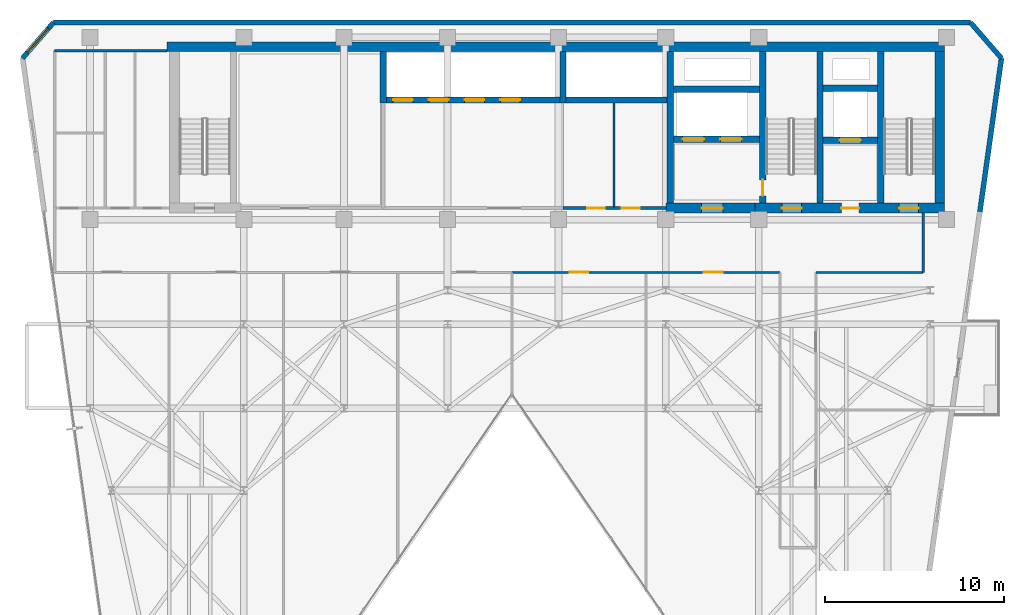
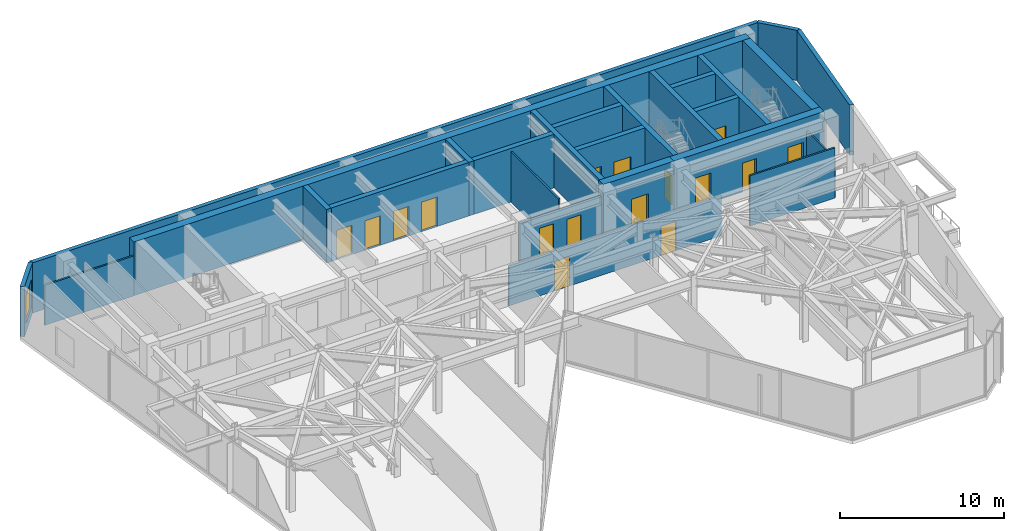
# One storey, part 23 of 26: 26 walls, 16 doors, 1 window, 17 openings.
"""IFC4 building model written with IfcOpenShell, lengths in metres."""

from ifc_helpers import new_model, si_unit, direction, frame, frame_2d, origin, place, context, subcontext, project, spatial, rectangle, extrude, material, layer, layer_set, type_object, element, fill, save


model = new_model("IFC4")

# Units and contexts
model_context = context("Model", 3, precision=1e-05, world=origin(), true_north=direction((0.0, 1.0)))
body_context = subcontext(model_context, "Body", "Model", "MODEL_VIEW")
ifc_project = project(units=[si_unit("LENGTHUNIT", "METRE"), si_unit("AREAUNIT", "SQUARE_METRE"), si_unit("VOLUMEUNIT", "CUBIC_METRE"), si_unit("PLANEANGLEUNIT", "RADIAN"), si_unit("MASSUNIT", "GRAM", prefix="KILO")], contexts=[model_context])

# Site, building, storey
site_placement = place(None, origin())
site = spatial("IfcSite", under=ifc_project, at=site_placement, CompositionType="ELEMENT")
building_placement = place(site_placement, origin())
building = spatial("IfcBuilding", under=site, at=building_placement, Name="Kravanh Interchange Tower", CompositionType="ELEMENT")
storey_placement = place(building_placement, frame((0.0, 0.0, 180.5)))
storey = spatial("IfcBuildingStorey", under=building, at=storey_placement, Name="L43", CompositionType="ELEMENT", Elevation=180.5)

# Walls
ifc_material_1 = material(Name="Double Acoustic Gypsum Board and Mineral Wool")
ifc_layer_1 = layer(ifc_material_1, 0.1201171875)
ifc_layer_set_1 = layer_set([ifc_layer_1], Name="Acoustic Office Drywall Partition 120mm")
wall_type_1 = type_object("IfcWallType", Name="Acoustic Office Drywall Partition 120mm", PredefinedType="PARTITIONING", material=ifc_layer_set_1)
wall_1_placement = place(storey_placement, frame((47.89990234375, 38.068115234375, 0.0), z_axis=(0.0, 0.0, 1.0), x_axis=(0.0, 1.0, 0.0)))
element("IfcWall", 1, at=wall_1_placement, inside=storey, type_object=wall_type_1, Name="L43 Interior Partition 2", PredefinedType="PARTITIONING", context=body_context, shape_type="SweptSolid", body=[
    extrude(rectangle(XDim=5.798828125, YDim=0.1201171875, at=frame_2d((2.8994140625, 0.0))), origin(), (0.0, 0.0, 1.0), 3.7548828125),
])
wall_2_placement = place(storey_placement, frame((16.6201171875, 46.800048828125, 0.0), z_axis=(0.0, 0.0, 1.0), x_axis=(1.0, 0.0, 0.0)))
element("IfcWall", 2, at=wall_2_placement, inside=storey, type_object=wall_type_1, Name="L43 Restroom North Enclosure 8", PredefinedType="PARTITIONING", context=body_context, shape_type="SweptSolid", body=[
    extrude(rectangle(XDim=6.27978515625, YDim=0.1201171875, at=frame_2d((3.139892578125, 0.0))), origin(), (0.0, 0.0, 1.0), 2.98193359375),
])

# Wall, openings, doors
wall_3_placement = place(storey_placement, frame((42.199951171875, 34.39990234375, 0.0), z_axis=(0.0, 0.0, 1.0), x_axis=(1.0, 0.0, 0.0)))
wall_3 = element("IfcWall", 3, at=wall_3_placement, inside=storey, type_object=wall_type_1, Name="L43 Interior Partition 13", PredefinedType="PARTITIONING", context=body_context, shape_type="SweptSolid", body=[
    extrude(rectangle(XDim=15.0, YDim=0.1201171875, at=frame_2d((7.5, 0.0))), origin(), (0.0, 0.0, 1.0), 2.98193359375),
])
opening_1_placement = place(wall_3_placement, frame((3.22509765625, 0.0, 0.0)))
opening_1 = element("IfcOpeningElement", 4, at=opening_1_placement, cuts=wall_3, Name="Opening D-105", PredefinedType="OPENING", context=body_context, shape_type="SweptSolid", body=[
    extrude(rectangle(XDim=1.050048828125, YDim=2.199951171875, at=frame_2d((0.52490234375, 1.10009765625))), frame((0.0, 0.070068359375, 0.0), z_axis=(0.0, -1.0, 0.0), x_axis=(1.0, 0.0, 0.0)), (0.0, 0.0, 1.0), 0.14013671875),
])
opening_2_placement = place(wall_3_placement, frame((10.72509765625, 0.0, 0.0)))
opening_2 = element("IfcOpeningElement", 5, at=opening_2_placement, cuts=wall_3, Name="Opening D-105", PredefinedType="OPENING", context=body_context, shape_type="SweptSolid", body=[
    extrude(rectangle(XDim=1.050048828125, YDim=2.199951171875, at=frame_2d((0.52490234375, 1.10009765625))), frame((0.0, 0.070068359375, 0.0), z_axis=(0.0, -1.0, 0.0), x_axis=(1.0, 0.0, 0.0)), (0.0, 0.0, 1.0), 0.14013671875),
])
ifc_material_2 = material(Name="Acoustic Glazed Oak and Aluminium", Category="aluminium")
door_type_1 = type_object("IfcDoorType", Name="Office Workplace Door 1050x2200", OperationType="NOTDEFINED", PredefinedType="DOOR", material=ifc_material_2)
door_1_placement = place(opening_1_placement, origin())
door_1 = element("IfcDoor", 6, at=door_1_placement, inside=storey, type_object=door_type_1, Name="L43 Office 10E Door", OperationType="SINGLE_SWING_LEFT", OverallHeight=2.199951171875, OverallWidth=1.050048828125, PredefinedType="DOOR", context=body_context, shape_type="SweptSolid", body=[
    extrude(rectangle(XDim=1.050048828125, YDim=2.199951171875, at=frame_2d((0.52490234375, 1.10009765625))), frame((0.0, 0.02490234375, 0.0), z_axis=(0.0, -1.0, 0.0), x_axis=(1.0, 0.0, 0.0)), (0.0, 0.0, 1.0), 0.050048828125),
])
fill(opening_1, door_1)
door_2_placement = place(opening_2_placement, origin())
door_2 = element("IfcDoor", 7, at=door_2_placement, inside=storey, type_object=door_type_1, Name="L43 Boardroom 10G Door", OperationType="SINGLE_SWING_RIGHT", OverallHeight=2.199951171875, OverallWidth=1.050048828125, PredefinedType="DOOR", context=body_context, shape_type="SweptSolid", body=[
    extrude(rectangle(XDim=1.050048828125, YDim=2.199951171875, at=frame_2d((0.52490234375, 1.10009765625))), frame((0.0, 0.02490234375, 0.0), z_axis=(0.0, -1.0, 0.0), x_axis=(1.0, 0.0, 0.0)), (0.0, 0.0, 1.0), 0.050048828125),
])
fill(opening_2, door_2)

# Walls
wall_4_placement = place(storey_placement, frame((59.199951171875, 34.39990234375, 0.0), z_axis=(0.0, 0.0, 1.0), x_axis=(1.0, 0.0, 0.0)))
element("IfcWall", 8, at=wall_4_placement, inside=storey, type_object=wall_type_1, Name="L43 Interior Partition 14", PredefinedType="PARTITIONING", context=body_context, shape_type="SweptSolid", body=[
    extrude(rectangle(XDim=6.0, YDim=0.1201171875, at=frame_2d((3.0, 0.0))), origin(), (0.0, 0.0, 1.0), 3.7548828125),
])
wall_5_placement = place(storey_placement, frame((65.199951171875, 34.39990234375, 0.0), z_axis=(0.0, 0.0, 1.0), x_axis=(0.0, 1.0, 0.0)))
element("IfcWall", 9, at=wall_5_placement, inside=storey, type_object=wall_type_1, Name="L43 Interior Partition 16", PredefinedType="PARTITIONING", context=body_context, shape_type="SweptSolid", body=[
    extrude(rectangle(XDim=3.317138671875, YDim=0.1201171875, at=frame_2d((1.65869140625, 0.0))), origin(), (0.0, 0.0, 1.0), 2.98193359375),
])
ifc_material_3 = material(Name="Concrete C60/75", Category="concrete")
ifc_layer_2 = layer(ifc_material_3, 0.35009765625)
ifc_layer_set_2 = layer_set([ifc_layer_2], Name="Core Shear Wall Concrete C60/75 350mm")
wall_type_2 = type_object("IfcWallType", Name="Core Shear Wall Concrete C60/75 350mm", PredefinedType="SHEAR", material=ifc_layer_set_2)
for number, where, z_axis, x_axis, name in (
    (10, (62.824951171875, 38.27490234375, 0.0), (0.0, 0.0, 1.0), (0.0, 1.0, 0.0), "L43 Stair ST1 West Shear Wall"),
    (11, (59.425048828125, 38.27490234375, 0.0), (0.0, 0.0, 1.0), (0.0, 1.0, 0.0), "L43 Stair ST2 East Shear Wall"),
):
    element("IfcWall", number, at=place(storey_placement, frame(where, z_axis=z_axis, x_axis=x_axis)), inside=storey, type_object=wall_type_2, Name=name, PredefinedType="SHEAR", context=body_context, shape_type="SweptSolid", body=[
        extrude(rectangle(XDim=8.47509765625, YDim=0.35009765625, at=frame_2d((4.237548828125, 0.0))), origin(), (0.0, 0.0, 1.0), 4.0),
    ])

# Wall, opening, door
wall_6_placement = place(storey_placement, frame((56.22509765625, 38.27490234375, 0.0), z_axis=(0.0, 0.0, 1.0), x_axis=(0.0, 1.0, 0.0)))
wall_6 = element("IfcWall", 12, at=wall_6_placement, inside=storey, type_object=wall_type_2, Name="L43 Stair ST2 West Shear Wall", PredefinedType="SHEAR", context=body_context, shape_type="SweptSolid", body=[
    extrude(rectangle(XDim=8.47509765625, YDim=0.35009765625, at=frame_2d((4.237548828125, 0.0))), origin(), (0.0, 0.0, 1.0), 4.0),
])
opening_3_placement = place(wall_6_placement, frame((0.405029296875, 0.0, 0.0)))
opening_3 = element("IfcOpeningElement", 13, at=opening_3_placement, cuts=wall_6, Name="Opening D-STAIR-90", PredefinedType="OPENING", context=body_context, shape_type="SweptSolid", body=[
    extrude(rectangle(XDim=0.89990234375, YDim=2.14990234375, at=frame_2d((0.449951171875, 1.074951171875))), frame((0.0, 0.18505859375, 0.0), z_axis=(0.0, -1.0, 0.0), x_axis=(1.0, 0.0, 0.0)), (0.0, 0.0, 1.0), 0.3701171875),
])
ifc_material_4 = material(Name="Structural Steel S355", Category="steel")
door_type_2 = type_object("IfcDoorType", Name="Fire-Rated Stair Lobby Door 900x2150", OperationType="NOTDEFINED", PredefinedType="DOOR", material=ifc_material_4)
door_3_placement = place(opening_3_placement, origin())
door_3 = element("IfcDoor", 14, at=door_3_placement, inside=storey, type_object=door_type_2, Name="L43 Firefighting Lobby to Stair ST2 Door", OperationType="SINGLE_SWING_LEFT", OverallHeight=2.14990234375, OverallWidth=0.89990234375, PredefinedType="DOOR", context=body_context, shape_type="SweptSolid", body=[
    extrude(rectangle(XDim=0.89990234375, YDim=2.14990234375, at=frame_2d((0.449951171875, 1.074951171875))), frame((0.0, 0.02490234375, 0.0), z_axis=(0.0, -1.0, 0.0), x_axis=(1.0, 0.0, 0.0)), (0.0, 0.0, 1.0), 0.050048828125),
])
fill(opening_3, door_3)

wall_7_placement = place(storey_placement, frame((59.60009765625, 41.800048828125, 0.0), z_axis=(0.0, 0.0, 1.0), x_axis=(1.0, 0.0, 0.0)))
wall_7 = element("IfcWall", 15, at=wall_7_placement, inside=storey, type_object=wall_type_2, Name="L43 Service Lift Shaft South Wall", PredefinedType="SHEAR", context=body_context, shape_type="SweptSolid", body=[
    extrude(rectangle(XDim=3.0498046875, YDim=0.35009765625, at=frame_2d((1.52490234375, 0.0))), origin(), (0.0, 0.0, 1.0), 4.0),
])
opening_4_placement = place(wall_7_placement, frame((0.919921875, 0.0, 0.0)))
opening_4 = element("IfcOpeningElement", 16, at=opening_4_placement, cuts=wall_7, Name="Opening LD02", PredefinedType="OPENING", context=body_context, shape_type="SweptSolid", body=[
    extrude(rectangle(XDim=1.199951171875, YDim=2.199951171875, at=frame_2d((0.60009765625, 1.10009765625))), frame((0.0, 0.18505859375, 0.0), z_axis=(0.0, -1.0, 0.0), x_axis=(1.0, 0.0, 0.0)), (0.0, 0.0, 1.0), 0.3701171875),
])
ifc_material_5 = material(Name="Stainless Steel 316", Category="steel")
door_type_3 = type_object("IfcDoorType", Name="Fire and Service Lift Sliding Landing Door 1200x2200", OperationType="DOUBLE_DOOR_SLIDING", PredefinedType="DOOR", material=ifc_material_5)
door_4_placement = place(opening_4_placement, origin())
door_4 = element("IfcDoor", 17, at=door_4_placement, inside=storey, type_object=door_type_3, Name="L43 Lift LS-01 Landing Door", OperationType="DOUBLE_DOOR_SLIDING", OverallHeight=2.199951171875, OverallWidth=1.199951171875, PredefinedType="DOOR", context=body_context, shape_type="SweptSolid", body=[
    extrude(rectangle(XDim=1.199951171875, YDim=2.199951171875, at=frame_2d((0.60009765625, 1.10009765625))), frame((0.0, 0.02490234375, 0.0), z_axis=(0.0, -1.0, 0.0), x_axis=(1.0, 0.0, 0.0)), (0.0, 0.0, 1.0), 0.050048828125),
])
fill(opening_4, door_4)

# Wall
wall_8_placement = place(storey_placement, frame((59.60009765625, 44.699951171875, 0.0), z_axis=(0.0, 0.0, 1.0), x_axis=(1.0, 0.0, 0.0)))
element("IfcWall", 18, at=wall_8_placement, inside=storey, type_object=wall_type_2, Name="L43 Service Lift Shaft North Wall", PredefinedType="SHEAR", context=body_context, shape_type="SweptSolid", body=[
    extrude(rectangle(XDim=3.0498046875, YDim=0.35009765625, at=frame_2d((1.52490234375, 0.0))), origin(), (0.0, 0.0, 1.0), 4.0),
])

# Wall, openings, doors
wall_9_placement = place(storey_placement, frame((51.22509765625, 41.85009765625, 0.0), z_axis=(0.0, 0.0, 1.0), x_axis=(1.0, 0.0, 0.0)))
wall_9 = element("IfcWall", 19, at=wall_9_placement, inside=storey, type_object=wall_type_2, Name="L43 Fire Lift Shaft South Wall", PredefinedType="SHEAR", context=body_context, shape_type="SweptSolid", body=[
    extrude(rectangle(XDim=4.824951171875, YDim=0.35009765625, at=frame_2d((2.41259765625, 0.0))), origin(), (0.0, 0.0, 1.0), 4.0),
])
opening_5_placement = place(wall_9_placement, frame((0.52490234375, 0.0, 0.0)))
opening_5 = element("IfcOpeningElement", 20, at=opening_5_placement, cuts=wall_9, Name="Opening LD02", PredefinedType="OPENING", context=body_context, shape_type="SweptSolid", body=[
    extrude(rectangle(XDim=1.199951171875, YDim=2.199951171875, at=frame_2d((0.60009765625, 1.10009765625))), frame((0.0, 0.18505859375, 0.0), z_axis=(0.0, -1.0, 0.0), x_axis=(1.0, 0.0, 0.0)), (0.0, 0.0, 1.0), 0.3701171875),
])
opening_6_placement = place(wall_9_placement, frame((2.625, 0.0, 0.0)))
opening_6 = element("IfcOpeningElement", 21, at=opening_6_placement, cuts=wall_9, Name="Opening LD02", PredefinedType="OPENING", context=body_context, shape_type="SweptSolid", body=[
    extrude(rectangle(XDim=1.199951171875, YDim=2.199951171875, at=frame_2d((0.60009765625, 1.10009765625))), frame((0.0, 0.18505859375, 0.0), z_axis=(0.0, -1.0, 0.0), x_axis=(1.0, 0.0, 0.0)), (0.0, 0.0, 1.0), 0.3701171875),
])
door_5_placement = place(opening_5_placement, origin())
door_5 = element("IfcDoor", 22, at=door_5_placement, inside=storey, type_object=door_type_3, Name="L43 Lift FSAE-01 Landing Door", OperationType="DOUBLE_DOOR_SLIDING", OverallHeight=2.199951171875, OverallWidth=1.199951171875, PredefinedType="DOOR", context=body_context, shape_type="SweptSolid", body=[
    extrude(rectangle(XDim=1.199951171875, YDim=2.199951171875, at=frame_2d((0.60009765625, 1.10009765625))), frame((0.0, 0.02490234375, 0.0), z_axis=(0.0, -1.0, 0.0), x_axis=(1.0, 0.0, 0.0)), (0.0, 0.0, 1.0), 0.050048828125),
])
fill(opening_5, door_5)
door_6_placement = place(opening_6_placement, origin())
door_6 = element("IfcDoor", 23, at=door_6_placement, inside=storey, type_object=door_type_3, Name="L43 Lift FSAE-02 Landing Door", OperationType="DOUBLE_DOOR_SLIDING", OverallHeight=2.199951171875, OverallWidth=1.199951171875, PredefinedType="DOOR", context=body_context, shape_type="SweptSolid", body=[
    extrude(rectangle(XDim=1.199951171875, YDim=2.199951171875, at=frame_2d((0.60009765625, 1.10009765625))), frame((0.0, 0.02490234375, 0.0), z_axis=(0.0, -1.0, 0.0), x_axis=(1.0, 0.0, 0.0)), (0.0, 0.0, 1.0), 0.050048828125),
])
fill(opening_6, door_6)

# Walls
wall_10_placement = place(storey_placement, frame((51.22509765625, 44.64990234375, 0.0), z_axis=(0.0, 0.0, 1.0), x_axis=(1.0, 0.0, 0.0)))
element("IfcWall", 24, at=wall_10_placement, inside=storey, type_object=wall_type_2, Name="L43 Fire Lift Shaft North Wall", PredefinedType="SHEAR", context=body_context, shape_type="SweptSolid", body=[
    extrude(rectangle(XDim=4.824951171875, YDim=0.35009765625, at=frame_2d((2.41259765625, 0.0))), origin(), (0.0, 0.0, 1.0), 4.0),
])
wall_11_placement = place(storey_placement, frame((51.050048828125, 38.27490234375, 0.0), z_axis=(0.0, 0.0, 1.0), x_axis=(0.0, 1.0, 0.0)))
element("IfcWall", 25, at=wall_11_placement, inside=storey, type_object=wall_type_2, Name="L43 Firefighting Lobby West Wall", PredefinedType="SHEAR", context=body_context, shape_type="SweptSolid", body=[
    extrude(rectangle(XDim=8.47509765625, YDim=0.35009765625, at=frame_2d((4.237548828125, 0.0))), origin(), (0.0, 0.0, 1.0), 4.0),
])
wall_12_placement = place(storey_placement, frame((45.22509765625, 44.050048828125, 0.0), z_axis=(0.0, 0.0, 1.0), x_axis=(1.0, 0.0, 0.0)))
element("IfcWall", 26, at=wall_12_placement, inside=storey, type_object=wall_type_2, Name="L43 High-Rise Lift Shaft South Wall", PredefinedType="SHEAR", context=body_context, shape_type="SweptSolid", body=[
    extrude(rectangle(XDim=5.64990234375, YDim=0.35009765625, at=frame_2d((2.824951171875, 0.0))), origin(), (0.0, 0.0, 1.0), 4.0),
])
wall_13_placement = place(storey_placement, frame((45.050048828125, 43.875, 0.0), z_axis=(0.0, 0.0, 1.0), x_axis=(0.0, 1.0, 0.0)))
element("IfcWall", 27, at=wall_13_placement, inside=storey, type_object=wall_type_2, Name="L43 High-Rise Lift Shaft West Wall", PredefinedType="SHEAR", context=body_context, shape_type="SweptSolid", body=[
    extrude(rectangle(XDim=2.875, YDim=0.35009765625, at=frame_2d((1.4375, 0.0))), origin(), (0.0, 0.0, 1.0), 4.0),
])

# Wall, openings, doors
wall_14_placement = place(storey_placement, frame((35.175048828125, 44.050048828125, 0.0), z_axis=(0.0, 0.0, 1.0), x_axis=(1.0, 0.0, 0.0)))
wall_14 = element("IfcWall", 28, at=wall_14_placement, inside=storey, type_object=wall_type_2, Name="L43 Mid-Rise Lift Shaft South Wall", PredefinedType="SHEAR", context=body_context, shape_type="SweptSolid", body=[
    extrude(rectangle(XDim=9.699951171875, YDim=0.35009765625, at=frame_2d((4.85009765625, 0.0))), origin(), (0.0, 0.0, 1.0), 4.0),
])
opening_7_placement = place(wall_14_placement, frame((0.375, 0.0, 0.0)))
opening_7 = element("IfcOpeningElement", 29, at=opening_7_placement, cuts=wall_14, Name="Opening LD01", PredefinedType="OPENING", context=body_context, shape_type="SweptSolid", body=[
    extrude(rectangle(XDim=1.10009765625, YDim=2.199951171875, at=frame_2d((0.550048828125, 1.10009765625))), frame((0.0, 0.18505859375, 0.0), z_axis=(0.0, -1.0, 0.0), x_axis=(1.0, 0.0, 0.0)), (0.0, 0.0, 1.0), 0.3701171875),
])
opening_8_placement = place(wall_14_placement, frame((2.375, 0.0, 0.0)))
opening_8 = element("IfcOpeningElement", 30, at=opening_8_placement, cuts=wall_14, Name="Opening LD01", PredefinedType="OPENING", context=body_context, shape_type="SweptSolid", body=[
    extrude(rectangle(XDim=1.10009765625, YDim=2.199951171875, at=frame_2d((0.550048828125, 1.10009765625))), frame((0.0, 0.18505859375, 0.0), z_axis=(0.0, -1.0, 0.0), x_axis=(1.0, 0.0, 0.0)), (0.0, 0.0, 1.0), 0.3701171875),
])
opening_9_placement = place(wall_14_placement, frame((4.375, 0.0, 0.0)))
opening_9 = element("IfcOpeningElement", 31, at=opening_9_placement, cuts=wall_14, Name="Opening LD01", PredefinedType="OPENING", context=body_context, shape_type="SweptSolid", body=[
    extrude(rectangle(XDim=1.10009765625, YDim=2.199951171875, at=frame_2d((0.550048828125, 1.10009765625))), frame((0.0, 0.18505859375, 0.0), z_axis=(0.0, -1.0, 0.0), x_axis=(1.0, 0.0, 0.0)), (0.0, 0.0, 1.0), 0.3701171875),
])
opening_10_placement = place(wall_14_placement, frame((6.375, 0.0, 0.0)))
opening_10 = element("IfcOpeningElement", 32, at=opening_10_placement, cuts=wall_14, Name="Opening LD01", PredefinedType="OPENING", context=body_context, shape_type="SweptSolid", body=[
    extrude(rectangle(XDim=1.10009765625, YDim=2.199951171875, at=frame_2d((0.550048828125, 1.10009765625))), frame((0.0, 0.18505859375, 0.0), z_axis=(0.0, -1.0, 0.0), x_axis=(1.0, 0.0, 0.0)), (0.0, 0.0, 1.0), 0.3701171875),
])
ifc_material_6 = material(Name="Stainless Steel 304", Category="steel")
door_type_4 = type_object("IfcDoorType", Name="Passenger Lift Sliding Landing Door 1100x2200", OperationType="DOUBLE_DOOR_SLIDING", PredefinedType="DOOR", material=ifc_material_6)
door_7_placement = place(opening_7_placement, origin())
door_7 = element("IfcDoor", 33, at=door_7_placement, inside=storey, type_object=door_type_4, Name="L43 Lift LP-M1 Landing Door", OperationType="DOUBLE_DOOR_SLIDING", OverallHeight=2.199951171875, OverallWidth=1.10009765625, PredefinedType="DOOR", context=body_context, shape_type="SweptSolid", body=[
    extrude(rectangle(XDim=1.10009765625, YDim=2.199951171875, at=frame_2d((0.550048828125, 1.10009765625))), frame((0.0, 0.02490234375, 0.0), z_axis=(0.0, -1.0, 0.0), x_axis=(1.0, 0.0, 0.0)), (0.0, 0.0, 1.0), 0.050048828125),
])
fill(opening_7, door_7)
door_8_placement = place(opening_8_placement, origin())
door_8 = element("IfcDoor", 34, at=door_8_placement, inside=storey, type_object=door_type_4, Name="L43 Lift LP-M2 Landing Door", OperationType="DOUBLE_DOOR_SLIDING", OverallHeight=2.199951171875, OverallWidth=1.10009765625, PredefinedType="DOOR", context=body_context, shape_type="SweptSolid", body=[
    extrude(rectangle(XDim=1.10009765625, YDim=2.199951171875, at=frame_2d((0.550048828125, 1.10009765625))), frame((0.0, 0.02490234375, 0.0), z_axis=(0.0, -1.0, 0.0), x_axis=(1.0, 0.0, 0.0)), (0.0, 0.0, 1.0), 0.050048828125),
])
fill(opening_8, door_8)
door_9_placement = place(opening_9_placement, origin())
door_9 = element("IfcDoor", 35, at=door_9_placement, inside=storey, type_object=door_type_4, Name="L43 Lift LP-M3 Landing Door", OperationType="DOUBLE_DOOR_SLIDING", OverallHeight=2.199951171875, OverallWidth=1.10009765625, PredefinedType="DOOR", context=body_context, shape_type="SweptSolid", body=[
    extrude(rectangle(XDim=1.10009765625, YDim=2.199951171875, at=frame_2d((0.550048828125, 1.10009765625))), frame((0.0, 0.02490234375, 0.0), z_axis=(0.0, -1.0, 0.0), x_axis=(1.0, 0.0, 0.0)), (0.0, 0.0, 1.0), 0.050048828125),
])
fill(opening_9, door_9)
door_10_placement = place(opening_10_placement, origin())
door_10 = element("IfcDoor", 36, at=door_10_placement, inside=storey, type_object=door_type_4, Name="L43 Lift LP-M4 Landing Door", OperationType="DOUBLE_DOOR_SLIDING", OverallHeight=2.199951171875, OverallWidth=1.10009765625, PredefinedType="DOOR", context=body_context, shape_type="SweptSolid", body=[
    extrude(rectangle(XDim=1.10009765625, YDim=2.199951171875, at=frame_2d((0.550048828125, 1.10009765625))), frame((0.0, 0.02490234375, 0.0), z_axis=(0.0, -1.0, 0.0), x_axis=(1.0, 0.0, 0.0)), (0.0, 0.0, 1.0), 0.050048828125),
])
fill(opening_10, door_10)

# Walls
wall_15_placement = place(storey_placement, frame((35.0, 43.875, 0.0), z_axis=(0.0, 0.0, 1.0), x_axis=(0.0, 1.0, 0.0)))
element("IfcWall", 37, at=wall_15_placement, inside=storey, type_object=wall_type_2, Name="L43 Mid-Rise Lift Shaft West Wall", PredefinedType="SHEAR", context=body_context, shape_type="SweptSolid", body=[
    extrude(rectangle(XDim=2.875, YDim=0.35009765625, at=frame_2d((1.4375, 0.0))), origin(), (0.0, 0.0, 1.0), 4.0),
])
ifc_material_7 = material(Name="Concrete C70/85", Category="concrete")
ifc_layer_3 = layer(ifc_material_7, 0.550048828125)
ifc_layer_set_3 = layer_set([ifc_layer_3], Name="Core Shear Wall Concrete C70/85 550mm")
wall_type_3 = type_object("IfcWallType", Name="Core Shear Wall Concrete C70/85 550mm", PredefinedType="SHEAR", material=ifc_layer_set_3)
wall_16_placement = place(storey_placement, frame((22.89990234375, 47.02490234375, 0.0), z_axis=(0.0, 0.0, 1.0), x_axis=(1.0, 0.0, 0.0)))
element("IfcWall", 38, at=wall_16_placement, inside=storey, type_object=wall_type_3, Name="L43 North Core Shear Wall", PredefinedType="SHEAR", context=body_context, shape_type="SweptSolid", body=[
    extrude(rectangle(XDim=43.5, YDim=0.550048828125, at=frame_2d((21.75, 0.0))), origin(), (0.0, 0.0, 1.0), 4.0),
])

# Wall, openings, doors
wall_17_placement = place(storey_placement, frame((55.800048828125, 38.0, 0.0), z_axis=(0.0, 0.0, 1.0), x_axis=(1.0, 0.0, 0.0)))
wall_17 = element("IfcWall", 39, at=wall_17_placement, inside=storey, type_object=wall_type_3, Name="L43 East Core South Shear Wall", PredefinedType="SHEAR", context=body_context, shape_type="SweptSolid", body=[
    extrude(rectangle(XDim=10.599853515625, YDim=0.550048828125, at=frame_2d((5.2998046875, 0.0))), origin(), (0.0, 0.0, 1.0), 4.0),
])
opening_11_placement = place(wall_17_placement, frame((1.5, 0.0, 0.0)))
opening_11 = element("IfcOpeningElement", 40, at=opening_11_placement, cuts=wall_17, Name="Opening D-STAIR-110", PredefinedType="OPENING", context=body_context, shape_type="SweptSolid", body=[
    extrude(rectangle(XDim=1.10009765625, YDim=2.199951171875, at=frame_2d((0.550048828125, 1.10009765625))), frame((0.0, 0.28515625, 0.0), z_axis=(0.0, -1.0, 0.0), x_axis=(1.0, 0.0, 0.0)), (0.0, 0.0, 1.0), 0.570068359375),
])
opening_12_placement = place(wall_17_placement, frame((4.820068359375, 0.0, 0.0)))
opening_12 = element("IfcOpeningElement", 41, at=opening_12_placement, cuts=wall_17, Name="Opening D-HOTEL-100", PredefinedType="OPENING", context=body_context, shape_type="SweptSolid", body=[
    extrude(rectangle(XDim=1.0, YDim=2.14990234375, at=frame_2d((0.5, 1.074951171875))), frame((0.0, 0.28515625, 0.0), z_axis=(0.0, -1.0, 0.0), x_axis=(1.0, 0.0, 0.0)), (0.0, 0.0, 1.0), 0.570068359375),
])
opening_13_placement = place(wall_17_placement, frame((8.050048828125, 0.0, 0.0)))
opening_13 = element("IfcOpeningElement", 42, at=opening_13_placement, cuts=wall_17, Name="Opening D-STAIR-110", PredefinedType="OPENING", context=body_context, shape_type="SweptSolid", body=[
    extrude(rectangle(XDim=1.10009765625, YDim=2.199951171875, at=frame_2d((0.550048828125, 1.10009765625))), frame((0.0, 0.28515625, 0.0), z_axis=(0.0, -1.0, 0.0), x_axis=(1.0, 0.0, 0.0)), (0.0, 0.0, 1.0), 0.570068359375),
])
ifc_material_8 = material(Name="Structural Steel S355", Category="steel")
door_type_5 = type_object("IfcDoorType", Name="Fire-Rated Exit Stair Door 1100x2200", OperationType="NOTDEFINED", PredefinedType="DOOR", material=ifc_material_8)
door_11_placement = place(opening_11_placement, origin())
door_11 = element("IfcDoor", 43, at=door_11_placement, inside=storey, type_object=door_type_5, Name="L43 Exit Stair ST2 Door", OperationType="SINGLE_SWING_RIGHT", OverallHeight=2.199951171875, OverallWidth=1.10009765625, PredefinedType="DOOR", context=body_context, shape_type="SweptSolid", body=[
    extrude(rectangle(XDim=1.10009765625, YDim=2.199951171875, at=frame_2d((0.550048828125, 1.10009765625))), frame((0.0, 0.02490234375, 0.0), z_axis=(0.0, -1.0, 0.0), x_axis=(1.0, 0.0, 0.0)), (0.0, 0.0, 1.0), 0.050048828125),
])
fill(opening_11, door_11)
door_12_placement = place(opening_13_placement, origin())
door_12 = element("IfcDoor", 44, at=door_12_placement, inside=storey, type_object=door_type_5, Name="L43 Exit Stair ST1 Door", OperationType="SINGLE_SWING_RIGHT", OverallHeight=2.199951171875, OverallWidth=1.10009765625, PredefinedType="DOOR", context=body_context, shape_type="SweptSolid", body=[
    extrude(rectangle(XDim=1.10009765625, YDim=2.199951171875, at=frame_2d((0.550048828125, 1.10009765625))), frame((0.0, 0.02490234375, 0.0), z_axis=(0.0, -1.0, 0.0), x_axis=(1.0, 0.0, 0.0)), (0.0, 0.0, 1.0), 0.050048828125),
])
fill(opening_13, door_12)
ifc_material_9 = material(Name="Fire-Rated Solid Timber Leaf", Category="wood")
door_type_6 = type_object("IfcDoorType", Name="Fire-Rated Suite Entrance Door 1000x2150", OperationType="NOTDEFINED", PredefinedType="DOOR", material=ifc_material_9)
door_13_placement = place(opening_12_placement, origin())
door_13 = element("IfcDoor", 45, at=door_13_placement, inside=storey, type_object=door_type_6, Name="L43 Service Lift Lobby Door", OperationType="SINGLE_SWING_RIGHT", OverallHeight=2.14990234375, OverallWidth=1.0, PredefinedType="DOOR", context=body_context, shape_type="SweptSolid", body=[
    extrude(rectangle(XDim=1.0, YDim=2.14990234375, at=frame_2d((0.5, 1.074951171875))), frame((0.0, 0.02490234375, 0.0), z_axis=(0.0, -1.0, 0.0), x_axis=(1.0, 0.0, 0.0)), (0.0, 0.0, 1.0), 0.050048828125),
])
fill(opening_12, door_13)

# Wall
wall_18_placement = place(storey_placement, frame((66.125, 38.27490234375, 0.0), z_axis=(0.0, 0.0, 1.0), x_axis=(0.0, 1.0, 0.0)))
element("IfcWall", 46, at=wall_18_placement, inside=storey, type_object=wall_type_3, Name="L43 Stair ST1 East Shear Wall", PredefinedType="SHEAR", context=body_context, shape_type="SweptSolid", body=[
    extrude(rectangle(XDim=8.47509765625, YDim=0.550048828125, at=frame_2d((4.237548828125, 0.0))), origin(), (0.0, 0.0, 1.0), 4.0),
])

# Wall, opening, door
wall_19_placement = place(storey_placement, frame((50.800048828125, 38.0, 0.0), z_axis=(0.0, 0.0, 1.0), x_axis=(1.0, 0.0, 0.0)))
wall_19 = element("IfcWall", 47, at=wall_19_placement, inside=storey, type_object=wall_type_3, Name="L43 Firefighting Lobby South Shear Wall", PredefinedType="SHEAR", context=body_context, shape_type="SweptSolid", body=[
    extrude(rectangle(XDim=5.0, YDim=0.550048828125, at=frame_2d((2.5, 0.0))), origin(), (0.0, 0.0, 1.0), 4.0),
])
opening_14_placement = place(wall_19_placement, frame((2.0, 0.0, 0.0)))
opening_14 = element("IfcOpeningElement", 48, at=opening_14_placement, cuts=wall_19, Name="Opening D-FSAE-120", PredefinedType="OPENING", context=body_context, shape_type="SweptSolid", body=[
    extrude(rectangle(XDim=1.199951171875, YDim=2.199951171875, at=frame_2d((0.60009765625, 1.10009765625))), frame((0.0, 0.28515625, 0.0), z_axis=(0.0, -1.0, 0.0), x_axis=(1.0, 0.0, 0.0)), (0.0, 0.0, 1.0), 0.570068359375),
])
ifc_material_10 = material(Name="Structural Steel S355", Category="steel")
door_type_7 = type_object("IfcDoorType", Name="Fire-Rated Refuge and FSAE Door 1200x2200", OperationType="NOTDEFINED", PredefinedType="DOOR", material=ifc_material_10)
door_14_placement = place(opening_14_placement, origin())
door_14 = element("IfcDoor", 49, at=door_14_placement, inside=storey, type_object=door_type_7, Name="L43 Firefighting Lobby Corridor Door", OperationType="SINGLE_SWING_RIGHT", OverallHeight=2.199951171875, OverallWidth=1.199951171875, PredefinedType="DOOR", context=body_context, shape_type="SweptSolid", body=[
    extrude(rectangle(XDim=1.199951171875, YDim=2.199951171875, at=frame_2d((0.60009765625, 1.10009765625))), frame((0.0, 0.02490234375, 0.0), z_axis=(0.0, -1.0, 0.0), x_axis=(1.0, 0.0, 0.0)), (0.0, 0.0, 1.0), 0.050048828125),
])
fill(opening_14, door_14)

# Wall, opening, window
ifc_material_11 = material(Name="Insulated Precast Concrete C40/50 with Bronze Cladding", Category="concrete")
ifc_layer_4 = layer(ifc_material_11, 0.280029296875)
ifc_layer_set_4 = layer_set([ifc_layer_4], Name="Exterior Insulated Concrete C40/50 Bronze Spandrel Wall 280mm")
wall_type_4 = type_object("IfcWallType", Name="Exterior Insulated Concrete C40/50 Bronze Spandrel Wall 280mm", PredefinedType="STANDARD", material=ifc_layer_set_4)
wall_20_placement = place(storey_placement, frame((14.818603515625, 46.3828125, 0.0), z_axis=(0.0, 0.0, 1.0), x_axis=(0.656071351282, 0.754698868442, 0.0)))
wall_20 = element("IfcWall", 50, at=wall_20_placement, inside=storey, type_object=wall_type_4, Name="L43 Exterior Wall 2", PredefinedType="STANDARD", context=body_context, shape_type="SweptSolid", body=[
    extrude(rectangle(XDim=2.646240234375, YDim=0.280029296875, at=frame_2d((1.3232421875, 0.0))), origin(), (0.0, 0.0, 1.0), 3.7548828125),
])
opening_15_placement = place(wall_20_placement, frame((0.41552734375, 0.0, 0.64990234375)))
opening_15 = element("IfcOpeningElement", 51, at=opening_15_placement, cuts=wall_20, Name="Opening WN-180X210", PredefinedType="OPENING", context=body_context, shape_type="SweptSolid", body=[
    extrude(rectangle(XDim=1.800048828125, YDim=2.10009765625, at=frame_2d((0.89990234375, 1.050048828125))), frame((0.0, 0.14990234375, 0.0), z_axis=(0.0, -1.0, 0.0), x_axis=(1.0, 0.0, 0.0)), (0.0, 0.0, 1.0), 0.300048828125),
])
ifc_material_12 = material(Name="Thermally Broken Bronze Aluminium and Low-E Glass", Category="aluminium")
window_type = type_object("IfcWindowType", Name="Tower Pier Window 1800x2100", PartitioningType="SINGLE_PANEL", PredefinedType="WINDOW", material=ifc_material_12)
window_placement = place(opening_15_placement, origin())
window = element("IfcWindow", 52, at=window_placement, inside=storey, type_object=window_type, Name="L43 Corner Window 2", OverallHeight=2.10009765625, OverallWidth=1.800048828125, PartitioningType="SINGLE_PANEL", PredefinedType="WINDOW", context=body_context, shape_type="SweptSolid", body=[
    extrude(rectangle(XDim=1.800048828125, YDim=2.10009765625, at=frame_2d((0.89990234375, 1.050048828125))), frame((0.0, 0.030029296875, 0.0), z_axis=(0.0, -1.0, 0.0), x_axis=(1.0, 0.0, 0.0)), (0.0, 0.0, 1.0), 0.06005859375),
])
fill(opening_15, window)

# Walls
wall_21_placement = place(storey_placement, frame((16.5546875, 48.3798828125, 0.0), z_axis=(0.0, 0.0, 1.0), x_axis=(1.0, 0.0, 0.0)))
element("IfcWall", 53, at=wall_21_placement, inside=storey, type_object=wall_type_4, Name="L43 Exterior Wall 3", PredefinedType="STANDARD", context=body_context, shape_type="SweptSolid", body=[
    extrude(rectangle(XDim=51.29052734375, YDim=0.280029296875, at=frame_2d((25.645263671875, 0.0))), origin(), (0.0, 0.0, 1.0), 3.7548828125),
])
wall_22_placement = place(storey_placement, frame((67.84521484375, 48.3798828125, 0.0), z_axis=(0.0, 0.0, 1.0), x_axis=(0.656071351282, -0.754698868442, 0.0)))
element("IfcWall", 54, at=wall_22_placement, inside=storey, type_object=wall_type_4, Name="L43 Exterior Wall 4", PredefinedType="STANDARD", context=body_context, shape_type="SweptSolid", body=[
    extrude(rectangle(XDim=2.646240234375, YDim=0.280029296875, at=frame_2d((1.3232421875, 0.0))), origin(), (0.0, 0.0, 1.0), 3.7548828125),
])
wall_23_placement = place(storey_placement, frame((69.581298828125, 46.3828125, 0.0), z_axis=(0.0, 0.0, 1.0), x_axis=(-0.13918102754, -0.990266954701, 0.0)))
element("IfcWall", 55, at=wall_23_placement, inside=storey, type_object=wall_type_4, Name="L43 Exterior Wall 5", PredefinedType="STANDARD", context=body_context, shape_type="SweptSolid", body=[
    extrude(rectangle(XDim=8.667236328125, YDim=0.280029296875, at=frame_2d((4.33349609375, 0.0))), origin(), (0.0, 0.0, 1.0), 3.7548828125),
])

# Wall, openings, doors
ifc_material_13 = material(Name="Autoclaved Aerated Concrete C30/37 Blockwork", Category="masonry")
ifc_layer_5 = layer(ifc_material_13, 0.179931640625)
ifc_layer_set_5 = layer_set([ifc_layer_5], Name="Fire-Rated Lobby and Corridor Wall Concrete C30/37 180mm")
wall_type_5 = type_object("IfcWallType", Name="Fire-Rated Lobby and Corridor Wall Concrete C30/37 180mm", PredefinedType="STANDARD", material=ifc_layer_set_5)
wall_24_placement = place(storey_placement, frame((45.050048828125, 38.0, 0.0), z_axis=(0.0, 0.0, 1.0), x_axis=(1.0, 0.0, 0.0)))
wall_24 = element("IfcWall", 56, at=wall_24_placement, inside=storey, type_object=wall_type_5, Name="L43 Core South Enclosure 1", PredefinedType="STANDARD", context=body_context, shape_type="SweptSolid", body=[
    extrude(rectangle(XDim=5.75, YDim=0.179931640625, at=frame_2d((2.875, 0.0))), origin(), (0.0, 0.0, 1.0), 2.98193359375),
])
opening_16_placement = place(wall_24_placement, frame((1.35009765625, 0.0, 0.0)))
opening_16 = element("IfcOpeningElement", 57, at=opening_16_placement, cuts=wall_24, Name="Opening D-HOTEL-100", PredefinedType="OPENING", context=body_context, shape_type="SweptSolid", body=[
    extrude(rectangle(XDim=1.0, YDim=2.14990234375, at=frame_2d((0.5, 1.074951171875))), frame((0.0, 0.10009765625, 0.0), z_axis=(0.0, -1.0, 0.0), x_axis=(1.0, 0.0, 0.0)), (0.0, 0.0, 1.0), 0.199951171875),
])
opening_17_placement = place(wall_24_placement, frame((3.300048828125, 0.0, 0.0)))
opening_17 = element("IfcOpeningElement", 58, at=opening_17_placement, cuts=wall_24, Name="Opening D-HOTEL-100", PredefinedType="OPENING", context=body_context, shape_type="SweptSolid", body=[
    extrude(rectangle(XDim=1.0, YDim=2.14990234375, at=frame_2d((0.5, 1.074951171875))), frame((0.0, 0.10009765625, 0.0), z_axis=(0.0, -1.0, 0.0), x_axis=(1.0, 0.0, 0.0)), (0.0, 0.0, 1.0), 0.199951171875),
])
door_15_placement = place(opening_16_placement, origin())
door_15 = element("IfcDoor", 59, at=door_15_placement, inside=storey, type_object=door_type_6, Name="L43 Core Switchroom Door", OperationType="SINGLE_SWING_RIGHT", OverallHeight=2.14990234375, OverallWidth=1.0, PredefinedType="DOOR", context=body_context, shape_type="SweptSolid", body=[
    extrude(rectangle(XDim=1.0, YDim=2.14990234375, at=frame_2d((0.5, 1.074951171875))), frame((0.0, 0.02490234375, 0.0), z_axis=(0.0, -1.0, 0.0), x_axis=(1.0, 0.0, 0.0)), (0.0, 0.0, 1.0), 0.050048828125),
])
fill(opening_16, door_15)
door_16_placement = place(opening_17_placement, origin())
door_16 = element("IfcDoor", 60, at=door_16_placement, inside=storey, type_object=door_type_6, Name="L43 Core Archive Door", OperationType="SINGLE_SWING_LEFT", OverallHeight=2.14990234375, OverallWidth=1.0, PredefinedType="DOOR", context=body_context, shape_type="SweptSolid", body=[
    extrude(rectangle(XDim=1.0, YDim=2.14990234375, at=frame_2d((0.5, 1.074951171875))), frame((0.0, 0.02490234375, 0.0), z_axis=(0.0, -1.0, 0.0), x_axis=(1.0, 0.0, 0.0)), (0.0, 0.0, 1.0), 0.050048828125),
])
fill(opening_17, door_16)

save(model, "model.ifc")
